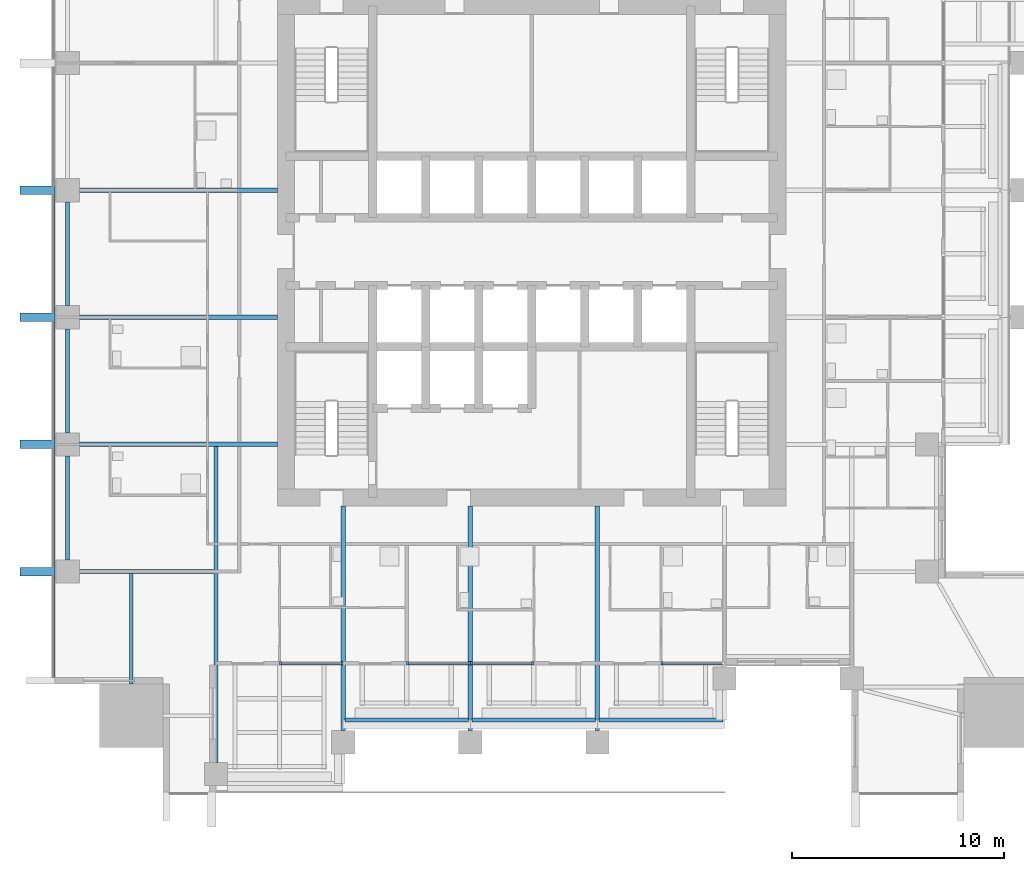
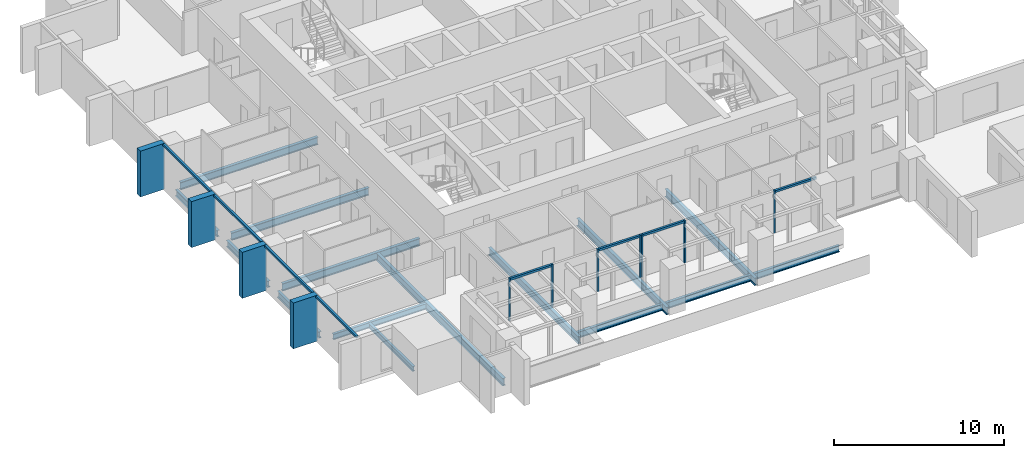
# One storey, part 2 of 16: 19 members, 15 beams, 5 elements without a shape of their own.
"""IFC4 building model written with IfcOpenShell, lengths in metres."""

from ifc_helpers import new_model, si_unit, direction, frame, origin, origin_2d, place, context, subcontext, project, spatial, rectangle, i_section, extrude, material, material_profile, profile_set, type_object, element, aggregate, save


model = new_model("IFC4")

# Units and contexts
model_context = context("Model", 3, precision=1e-05, world=origin(), true_north=direction((0.0, 1.0)))
body_context = subcontext(model_context, "Body", "Model", "MODEL_VIEW")
ifc_project = project(units=[si_unit("LENGTHUNIT", "METRE"), si_unit("AREAUNIT", "SQUARE_METRE"), si_unit("VOLUMEUNIT", "CUBIC_METRE"), si_unit("PLANEANGLEUNIT", "RADIAN"), si_unit("MASSUNIT", "GRAM", prefix="KILO")], contexts=[model_context])

# Site, building, storey
site_placement = place(None, origin())
site = spatial("IfcSite", under=ifc_project, at=site_placement, CompositionType="ELEMENT")
building_placement = place(site_placement, origin())
building = spatial("IfcBuilding", under=site, at=building_placement, Name="Amberfall Residences", CompositionType="ELEMENT")
storey_placement = place(building_placement, frame((0.0, 0.0, 108.39990234375)))
storey = spatial("IfcBuildingStorey", under=building, at=storey_placement, Name="L29", CompositionType="ELEMENT", Elevation=108.39990234375)

# Curtain wall, members
ifc_material_1 = material(Name="Bronze anodised aluminium and glass", Category="aluminium")
curtain_wall_type_1 = type_object("IfcCurtainWallType", Name="Curtain wall CW1 tower unit", PredefinedType="USERDEFINED", material=ifc_material_1)
curtain_wall_1_placement = place(storey_placement, origin())
curtain_wall_1 = element("IfcCurtainWall", 1, at=curtain_wall_1_placement, inside=storey, type_object=curtain_wall_type_1, Name="Curtain wall L29 W W1", ObjectType="UNITISED CURTAIN WALL", PredefinedType="USERDEFINED")
ifc_material_2 = material(Name="Bronze anodised aluminium", Category="aluminium")
ifc_material_profile_1 = material_profile(ifc_material_2, rectangle(XDim=0.14990234375, YDim=0.14990234375, at=origin_2d()), Name="CW1 transom 150 x 150 bronze")
ifc_profile_set_1 = profile_set([ifc_material_profile_1], Name="Bronze anodised aluminium")
member_type_1 = type_object("IfcMemberType", Name="CW1 transom 150 x 150 bronze", PredefinedType="USERDEFINED", material=ifc_profile_set_1)
member_1_placement = place(storey_placement, frame((51.925048828125, 48.199951171875, 2.97509765625), z_axis=(0.0, -1.0, 0.0), x_axis=(1.0, 0.0, 0.0)))
member_1 = element("IfcMember", 2, at=member_1_placement, type_object=member_type_1, Name="CW1 transom 4.1", ObjectType="TRANSOM", PredefinedType="USERDEFINED", context=body_context, shape_type="SweptSolid", body=[
    extrude(rectangle(XDim=0.14990234375, YDim=0.14990234375, at=origin_2d()), origin(), (0.0, 0.0, 1.0), 5.599853515625),
])
member_2_placement = place(storey_placement, frame((51.925048828125, 42.199951171875, 2.97509765625), z_axis=(0.0, -1.0, 0.0), x_axis=(1.0, 0.0, 0.0)))
member_2 = element("IfcMember", 3, at=member_2_placement, type_object=member_type_1, Name="CW1 transom 5.1", ObjectType="TRANSOM", PredefinedType="USERDEFINED", context=body_context, shape_type="SweptSolid", body=[
    extrude(rectangle(XDim=0.14990234375, YDim=0.14990234375, at=origin_2d()), origin(), (0.0, 0.0, 1.0), 5.599853515625),
])
member_3_placement = place(storey_placement, frame((51.925048828125, 36.199951171875, 2.97509765625), z_axis=(0.0, -1.0, 0.0), x_axis=(1.0, 0.0, 0.0)))
member_3 = element("IfcMember", 4, at=member_3_placement, type_object=member_type_1, Name="CW1 transom 6.1", ObjectType="TRANSOM", PredefinedType="USERDEFINED", context=body_context, shape_type="SweptSolid", body=[
    extrude(rectangle(XDim=0.14990234375, YDim=0.14990234375, at=origin_2d()), origin(), (0.0, 0.0, 1.0), 5.599853515625),
])
member_4_placement = place(storey_placement, frame((51.925048828125, 30.199951171875, 2.97509765625), z_axis=(0.0, -1.0, 0.0), x_axis=(1.0, 0.0, 0.0)))
member_4 = element("IfcMember", 5, at=member_4_placement, type_object=member_type_1, Name="CW1 transom 7.1", ObjectType="TRANSOM", PredefinedType="USERDEFINED", context=body_context, shape_type="SweptSolid", body=[
    extrude(rectangle(XDim=0.14990234375, YDim=0.14990234375, at=origin_2d()), origin(), (0.0, 0.0, 1.0), 4.800048828125),
])

curtain_wall_type_2 = type_object("IfcCurtainWallType", Name="Curtain wall CW3 sky garden glazing", PredefinedType="USERDEFINED", material=ifc_material_1)
curtain_wall_2_placement = place(storey_placement, origin())
curtain_wall_2 = element("IfcCurtainWall", 6, at=curtain_wall_2_placement, inside=storey, type_object=curtain_wall_type_2, Name="Curtain wall L29 S S3", ObjectType="UNITISED CURTAIN WALL", PredefinedType="USERDEFINED")
ifc_material_profile_2 = material_profile(ifc_material_2, rectangle(XDim=0.14990234375, YDim=0.10009765625, at=origin_2d()), Name="CW3 mullion 100 x 150 bronze")
ifc_profile_set_2 = profile_set([ifc_material_profile_2], Name="Bronze anodised aluminium")
member_type_2 = type_object("IfcMemberType", Name="CW3 mullion 100 x 150 bronze", PredefinedType="MULLION", material=ifc_profile_set_2)
member_5_placement = place(storey_placement, frame((62.64990234375, 26.074951171875, 0.0), z_axis=(0.0, 0.0, 1.0), x_axis=(0.0, 1.0, 0.0)))
member_5 = element("IfcMember", 7, at=member_5_placement, type_object=member_type_2, Name="CW3 mullion 1", PredefinedType="MULLION", context=body_context, shape_type="SweptSolid", body=[
    extrude(rectangle(XDim=0.14990234375, YDim=0.10009765625, at=origin_2d()), origin(), (0.0, 0.0, 1.0), 3.050048828125),
])
member_6_placement = place(storey_placement, frame((65.550048828125, 26.074951171875, 0.0), z_axis=(0.0, 0.0, 1.0), x_axis=(0.0, 1.0, 0.0)))
member_6 = element("IfcMember", 8, at=member_6_placement, type_object=member_type_2, Name="CW3 mullion 2", PredefinedType="MULLION", context=body_context, shape_type="SweptSolid", body=[
    extrude(rectangle(XDim=0.14990234375, YDim=0.10009765625, at=origin_2d()), origin(), (0.0, 0.0, 1.0), 3.050048828125),
])

curtain_wall_3_placement = place(storey_placement, origin())
curtain_wall_3 = element("IfcCurtainWall", 9, at=curtain_wall_3_placement, inside=storey, type_object=curtain_wall_type_2, Name="Curtain wall L29 S S4", ObjectType="UNITISED CURTAIN WALL", PredefinedType="USERDEFINED")
member_7_placement = place(storey_placement, frame((68.64990234375, 26.074951171875, 0.0), z_axis=(0.0, 0.0, 1.0), x_axis=(0.0, 1.0, 0.0)))
member_7 = element("IfcMember", 10, at=member_7_placement, type_object=member_type_2, Name="CW3 mullion 1", PredefinedType="MULLION", context=body_context, shape_type="SweptSolid", body=[
    extrude(rectangle(XDim=0.14990234375, YDim=0.10009765625, at=origin_2d()), origin(), (0.0, 0.0, 1.0), 3.050048828125),
])
member_8_placement = place(storey_placement, frame((71.550048828125, 26.074951171875, 0.0), z_axis=(0.0, 0.0, 1.0), x_axis=(0.0, 1.0, 0.0)))
member_8 = element("IfcMember", 11, at=member_8_placement, type_object=member_type_2, Name="CW3 mullion 2", PredefinedType="MULLION", context=body_context, shape_type="SweptSolid", body=[
    extrude(rectangle(XDim=0.14990234375, YDim=0.10009765625, at=origin_2d()), origin(), (0.0, 0.0, 1.0), 3.050048828125),
])

curtain_wall_4_placement = place(storey_placement, origin())
curtain_wall_4 = element("IfcCurtainWall", 12, at=curtain_wall_4_placement, inside=storey, type_object=curtain_wall_type_2, Name="Curtain wall L29 S S5", ObjectType="UNITISED CURTAIN WALL", PredefinedType="USERDEFINED")
member_9_placement = place(storey_placement, frame((71.64990234375, 26.074951171875, 0.0), z_axis=(0.0, 0.0, 1.0), x_axis=(0.0, 1.0, 0.0)))
member_9 = element("IfcMember", 13, at=member_9_placement, type_object=member_type_2, Name="CW3 mullion 1", PredefinedType="MULLION", context=body_context, shape_type="SweptSolid", body=[
    extrude(rectangle(XDim=0.14990234375, YDim=0.10009765625, at=origin_2d()), origin(), (0.0, 0.0, 1.0), 3.050048828125),
])
member_10_placement = place(storey_placement, frame((74.550048828125, 26.074951171875, 0.0), z_axis=(0.0, 0.0, 1.0), x_axis=(0.0, 1.0, 0.0)))
member_10 = element("IfcMember", 14, at=member_10_placement, type_object=member_type_2, Name="CW3 mullion 2", PredefinedType="MULLION", context=body_context, shape_type="SweptSolid", body=[
    extrude(rectangle(XDim=0.14990234375, YDim=0.10009765625, at=origin_2d()), origin(), (0.0, 0.0, 1.0), 3.050048828125),
])

# Curtain wall, member
curtain_wall_5_placement = place(storey_placement, origin())
curtain_wall_5 = element("IfcCurtainWall", 15, at=curtain_wall_5_placement, inside=storey, type_object=curtain_wall_type_2, Name="Curtain wall L29 S S6", ObjectType="UNITISED CURTAIN WALL", PredefinedType="USERDEFINED")
member_11_placement = place(storey_placement, frame((80.64990234375, 26.074951171875, 0.0), z_axis=(0.0, 0.0, 1.0), x_axis=(0.0, 1.0, 0.0)))
member_11 = element("IfcMember", 16, at=member_11_placement, type_object=member_type_2, Name="CW3 mullion 1", PredefinedType="MULLION", context=body_context, shape_type="SweptSolid", body=[
    extrude(rectangle(XDim=0.14990234375, YDim=0.10009765625, at=origin_2d()), origin(), (0.0, 0.0, 1.0), 3.050048828125),
])

# Member
ifc_material_profile_3 = material_profile(ifc_material_2, rectangle(XDim=0.14990234375, YDim=0.14990234375, at=origin_2d()), Name="CW3 transom 150 x 150 bronze")
ifc_profile_set_3 = profile_set([ifc_material_profile_3], Name="Bronze anodised aluminium")
member_type_3 = type_object("IfcMemberType", Name="CW3 transom 150 x 150 bronze", PredefinedType="USERDEFINED", material=ifc_profile_set_3)
member_12_placement = place(storey_placement, frame((62.699951171875, 26.074951171875, 2.97509765625), z_axis=(1.0, 0.0, 0.0), x_axis=(0.0, 1.0, 0.0)))
member_12 = element("IfcMember", 17, at=member_12_placement, type_object=member_type_3, Name="CW3 transom 1.1", ObjectType="TRANSOM", PredefinedType="USERDEFINED", context=body_context, shape_type="SweptSolid", body=[
    extrude(rectangle(XDim=0.14990234375, YDim=0.14990234375, at=origin_2d()), origin(), (0.0, 0.0, 1.0), 2.800048828125),
])

aggregate(curtain_wall_2, [member_5, member_6, member_12])

member_13_placement = place(storey_placement, frame((68.699951171875, 26.074951171875, 2.97509765625), z_axis=(1.0, 0.0, 0.0), x_axis=(0.0, 1.0, 0.0)))
member_13 = element("IfcMember", 18, at=member_13_placement, type_object=member_type_3, Name="CW3 transom 1.1", ObjectType="TRANSOM", PredefinedType="USERDEFINED", context=body_context, shape_type="SweptSolid", body=[
    extrude(rectangle(XDim=0.14990234375, YDim=0.14990234375, at=origin_2d()), origin(), (0.0, 0.0, 1.0), 2.800048828125),
])

aggregate(curtain_wall_3, [member_7, member_8, member_13])

member_14_placement = place(storey_placement, frame((71.699951171875, 26.074951171875, 2.97509765625), z_axis=(1.0, 0.0, 0.0), x_axis=(0.0, 1.0, 0.0)))
member_14 = element("IfcMember", 19, at=member_14_placement, type_object=member_type_3, Name="CW3 transom 1.1", ObjectType="TRANSOM", PredefinedType="USERDEFINED", context=body_context, shape_type="SweptSolid", body=[
    extrude(rectangle(XDim=0.14990234375, YDim=0.14990234375, at=origin_2d()), origin(), (0.0, 0.0, 1.0), 2.800048828125),
])

aggregate(curtain_wall_4, [member_9, member_10, member_14])

member_15_placement = place(storey_placement, frame((80.699951171875, 26.074951171875, 2.97509765625), z_axis=(1.0, 0.0, 0.0), x_axis=(0.0, 1.0, 0.0)))
member_15 = element("IfcMember", 20, at=member_15_placement, type_object=member_type_3, Name="CW3 transom 1.1", ObjectType="TRANSOM", PredefinedType="USERDEFINED", context=body_context, shape_type="SweptSolid", body=[
    extrude(rectangle(XDim=0.14990234375, YDim=0.14990234375, at=origin_2d()), origin(), (0.0, 0.0, 1.0), 2.800048828125),
])

aggregate(curtain_wall_5, [member_11, member_15])

# Beams
ifc_material_3 = material(Name="Steel S355", Category="steel")
ifc_material_profile_4 = material_profile(ifc_material_3, i_section(OverallWidth=0.18994140625, OverallDepth=0.453369140625, WebThickness=0.008544921875, FlangeThickness=0.0126953125, FilletRadius=0.01025390625, at=origin_2d()), Name="UB 457x191x67")
ifc_profile_set_4 = profile_set([ifc_material_profile_4], Name="Steel S355")
beam_type_1 = type_object("IfcBeamType", Name="Edge beam UB 457x191x67", PredefinedType="SPANDREL", material=ifc_profile_set_4)
for number, where, z_axis, x_axis, name in (
    (21, (65.679931640625, 23.39990234375, -0.4765625), (1.0, 0.0, 0.0), (0.0, 1.0, 0.0), "Edge beam B1 L29 02"),
    (22, (71.679931640625, 23.39990234375, -0.4765625), (1.0, 0.0, 0.0), (0.0, 1.0, 0.0), "Edge beam B1 L29 03"),
    (23, (77.679931640625, 23.39990234375, -0.4765625), (1.0, 0.0, 0.0), (0.0, 1.0, 0.0), "Edge beam B1 L29 04"),
):
    element("IfcBeam", number, at=place(storey_placement, frame(where, z_axis=z_axis, x_axis=x_axis)), inside=storey, type_object=beam_type_1, Name=name, PredefinedType="SPANDREL", context=body_context, shape_type="SweptSolid", body=[
        extrude(i_section(OverallWidth=0.18994140625, OverallDepth=0.453369140625, WebThickness=0.008544921875, FlangeThickness=0.0126953125, FilletRadius=0.01025390625, at=origin_2d()), origin(), (0.0, 0.0, 1.0), 5.840087890625),
    ])
for number, where, z_axis, x_axis, name in (
    (24, (52.60009765625, 30.949951171875, -0.4765625), (0.0, 1.0, 0.0), (-1.0, 0.0, 0.0), "Edge beam B1 L29 38"),
    (25, (52.60009765625, 36.949951171875, -0.4765625), (0.0, 1.0, 0.0), (-1.0, 0.0, 0.0), "Edge beam B1 L29 39"),
    (26, (52.60009765625, 42.949951171875, -0.4765625), (0.0, 1.0, 0.0), (-1.0, 0.0, 0.0), "Edge beam B1 L29 40"),
):
    element("IfcBeam", number, at=place(storey_placement, frame(where, z_axis=z_axis, x_axis=x_axis)), inside=storey, type_object=beam_type_1, Name=name, PredefinedType="SPANDREL", context=body_context, shape_type="SweptSolid", body=[
        extrude(i_section(OverallWidth=0.18994140625, OverallDepth=0.453369140625, WebThickness=0.008544921875, FlangeThickness=0.0126953125, FilletRadius=0.01025390625, at=origin_2d()), origin(), (0.0, 0.0, 1.0), 4.900146484375),
    ])

# Member
ifc_material_profile_5 = material_profile(ifc_material_2, rectangle(XDim=1.64990234375, YDim=0.39990234375, at=origin_2d()), Name="Fin 400 x 1650 bronze")
ifc_profile_set_5 = profile_set([ifc_material_profile_5], Name="Bronze anodised aluminium")
member_type_4 = type_object("IfcMemberType", Name="Fin 400 x 1650 bronze", PredefinedType="MULLION", material=ifc_profile_set_5)
member_16_placement = place(storey_placement, frame((51.175048828125, 48.39990234375, -0.25), z_axis=(0.0, 0.0, 1.0), x_axis=(1.0, 0.0, 0.0)))
member_16 = element("IfcMember", 27, at=member_16_placement, type_object=member_type_4, Name="CW FIN 4", PredefinedType="MULLION", context=body_context, shape_type="SweptSolid", body=[
    extrude(rectangle(XDim=1.64990234375, YDim=0.39990234375, at=origin_2d()), origin(), (0.0, 0.0, 1.0), 3.300048828125),
])

member_17_placement = place(storey_placement, frame((51.175048828125, 42.39990234375, -0.25), z_axis=(0.0, 0.0, 1.0), x_axis=(1.0, 0.0, 0.0)))
member_17 = element("IfcMember", 28, at=member_17_placement, type_object=member_type_4, Name="CW FIN 5", PredefinedType="MULLION", context=body_context, shape_type="SweptSolid", body=[
    extrude(rectangle(XDim=1.64990234375, YDim=0.39990234375, at=origin_2d()), origin(), (0.0, 0.0, 1.0), 3.300048828125),
])

member_18_placement = place(storey_placement, frame((51.175048828125, 36.39990234375, -0.25), z_axis=(0.0, 0.0, 1.0), x_axis=(1.0, 0.0, 0.0)))
member_18 = element("IfcMember", 29, at=member_18_placement, type_object=member_type_4, Name="CW FIN 6", PredefinedType="MULLION", context=body_context, shape_type="SweptSolid", body=[
    extrude(rectangle(XDim=1.64990234375, YDim=0.39990234375, at=origin_2d()), origin(), (0.0, 0.0, 1.0), 3.300048828125),
])

member_19_placement = place(storey_placement, frame((51.175048828125, 30.39990234375, -0.25), z_axis=(0.0, 0.0, 1.0), x_axis=(1.0, 0.0, 0.0)))
member_19 = element("IfcMember", 30, at=member_19_placement, type_object=member_type_4, Name="CW FIN 7", PredefinedType="MULLION", context=body_context, shape_type="SweptSolid", body=[
    extrude(rectangle(XDim=1.64990234375, YDim=0.39990234375, at=origin_2d()), origin(), (0.0, 0.0, 1.0), 3.300048828125),
])

aggregate(curtain_wall_1, [member_16, member_17, member_18, member_19, member_1, member_2, member_3, member_4])

# Beams
ifc_material_profile_6 = material_profile(ifc_material_3, i_section(OverallWidth=0.177734375, OverallDepth=0.402587890625, WebThickness=0.0078125, FlangeThickness=0.010986328125, FilletRadius=0.01025390625, at=origin_2d()), Name="UB 406x178x54")
ifc_profile_set_6 = profile_set([ifc_material_profile_6], Name="Steel S355")
beam_type_2 = type_object("IfcBeamType", Name="Floor girder UB 406x178x54", PredefinedType="BEAM", material=ifc_profile_set_6)
beam_1_placement = place(storey_placement, frame((53.14990234375, 30.39990234375, -0.451171875), z_axis=(1.0, 0.0, 0.0), x_axis=(0.0, 1.0, 0.0)))
element("IfcBeam", 31, at=beam_1_placement, inside=storey, type_object=beam_type_2, Name="Floor girder B4 L29 43", PredefinedType="BEAM", context=body_context, shape_type="SweptSolid", body=[
    extrude(i_section(OverallWidth=0.177734375, OverallDepth=0.402587890625, WebThickness=0.0078125, FlangeThickness=0.010986328125, FilletRadius=0.01025390625, at=origin_2d()), origin(), (0.0, 0.0, 1.0), 6.330078125),
])
ifc_material_profile_7 = material_profile(ifc_material_3, i_section(OverallWidth=0.210693359375, OverallDepth=0.53955078125, WebThickness=0.01171875, FlangeThickness=0.018798828125, FilletRadius=0.0126953125, at=origin_2d()), Name="UB 533x210x109")
ifc_profile_set_7 = profile_set([ifc_material_profile_7], Name="Steel S355")
beam_type_3 = type_object("IfcBeamType", Name="Floor girder UB 533x210x109", PredefinedType="BEAM", material=ifc_profile_set_7)
beam_2_placement = place(storey_placement, frame((59.60009765625, 21.39990234375, -0.51953125), z_axis=(0.0, 1.0, 0.0), x_axis=(-1.0, 0.0, 0.0)))
element("IfcBeam", 32, at=beam_2_placement, inside=storey, type_object=beam_type_3, Name="Floor girder B2 L29 08", PredefinedType="BEAM", context=body_context, shape_type="SweptSolid", body=[
    extrude(i_section(OverallWidth=0.210693359375, OverallDepth=0.53955078125, WebThickness=0.01171875, FlangeThickness=0.018798828125, FilletRadius=0.0126953125, at=origin_2d()), origin(), (0.0, 0.0, 1.0), 14.900390625),
])
ifc_material_profile_8 = material_profile(ifc_material_3, i_section(OverallWidth=0.209228515625, OverallDepth=0.533203125, WebThickness=0.010009765625, FlangeThickness=0.015625, FilletRadius=0.0126953125, at=origin_2d()), Name="UB 533x210x92")
ifc_profile_set_8 = profile_set([ifc_material_profile_8], Name="Steel S355")
beam_type_4 = type_object("IfcBeamType", Name="Floor girder UB 533x210x92", PredefinedType="BEAM", material=ifc_profile_set_8)
for number, where, z_axis, x_axis, name in (
    (33, (65.60009765625, 22.89990234375, -0.516357421875), (0.0, 1.0, 0.0), (-1.0, 0.0, 0.0), "Floor girder B3 L29 09"),
    (34, (71.60009765625, 22.89990234375, -0.516357421875), (0.0, 1.0, 0.0), (-1.0, 0.0, 0.0), "Floor girder B3 L29 10"),
    (35, (77.60009765625, 22.89990234375, -0.516357421875), (0.0, 1.0, 0.0), (-1.0, 0.0, 0.0), "Floor girder B3 L29 11"),
):
    element("IfcBeam", number, at=place(storey_placement, frame(where, z_axis=z_axis, x_axis=x_axis)), inside=storey, type_object=beam_type_4, Name=name, PredefinedType="BEAM", context=body_context, shape_type="SweptSolid", body=[
        extrude(i_section(OverallWidth=0.209228515625, OverallDepth=0.533203125, WebThickness=0.010009765625, FlangeThickness=0.015625, FilletRadius=0.0126953125, at=origin_2d()), origin(), (0.0, 0.0, 1.0), 10.60009765625),
    ])
for number, where, z_axis, x_axis, name in (
    (36, (53.14990234375, 36.39990234375, -0.516357421875), (1.0, 0.0, 0.0), (0.0, 1.0, 0.0), "Floor girder B3 L29 44"),
    (37, (53.14990234375, 42.39990234375, -0.516357421875), (1.0, 0.0, 0.0), (0.0, 1.0, 0.0), "Floor girder B3 L29 45"),
    (38, (53.14990234375, 48.39990234375, -0.516357421875), (1.0, 0.0, 0.0), (0.0, 1.0, 0.0), "Floor girder B3 L29 46"),
):
    element("IfcBeam", number, at=place(storey_placement, frame(where, z_axis=z_axis, x_axis=x_axis)), inside=storey, type_object=beam_type_4, Name=name, PredefinedType="BEAM", context=body_context, shape_type="SweptSolid", body=[
        extrude(i_section(OverallWidth=0.209228515625, OverallDepth=0.533203125, WebThickness=0.010009765625, FlangeThickness=0.015625, FilletRadius=0.0126953125, at=origin_2d()), origin(), (0.0, 0.0, 1.0), 9.35009765625),
    ])
ifc_material_profile_9 = material_profile(ifc_material_3, i_section(OverallWidth=0.171142578125, OverallDepth=0.351318359375, WebThickness=0.007080078125, FlangeThickness=0.009765625, FilletRadius=0.01025390625, at=origin_2d()), Name="UB 356x171x45")
ifc_profile_set_9 = profile_set([ifc_material_profile_9], Name="Steel S355")
beam_type_5 = type_object("IfcBeamType", Name="Link beam UB 356x171x45", PredefinedType="BEAM", material=ifc_profile_set_9)
beam_3_placement = place(storey_placement, frame((55.60009765625, 25.10009765625, -0.425537109375), z_axis=(0.0, 1.0, 0.0), x_axis=(-1.0, 0.0, 0.0)))
element("IfcBeam", 39, at=beam_3_placement, inside=storey, type_object=beam_type_5, Name="Link beam B7 L29 51", PredefinedType="BEAM", context=body_context, shape_type="SweptSolid", body=[
    extrude(i_section(OverallWidth=0.171142578125, OverallDepth=0.351318359375, WebThickness=0.007080078125, FlangeThickness=0.009765625, FilletRadius=0.01025390625, at=origin_2d()), origin(), (0.0, 0.0, 1.0), 5.22119140625),
])

save(model, "model.ifc")
